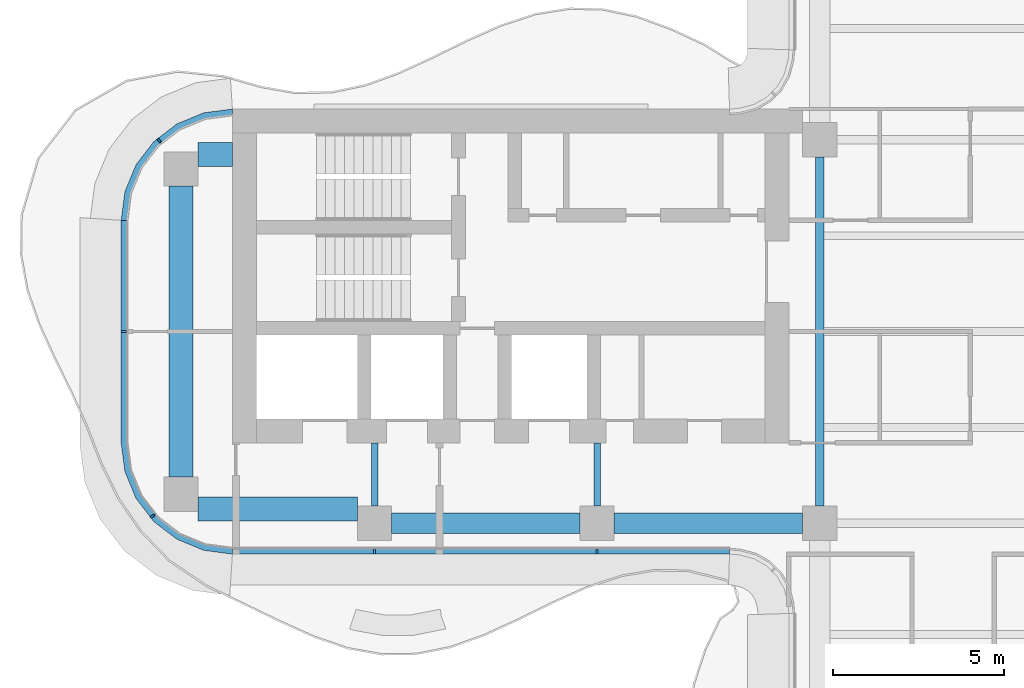
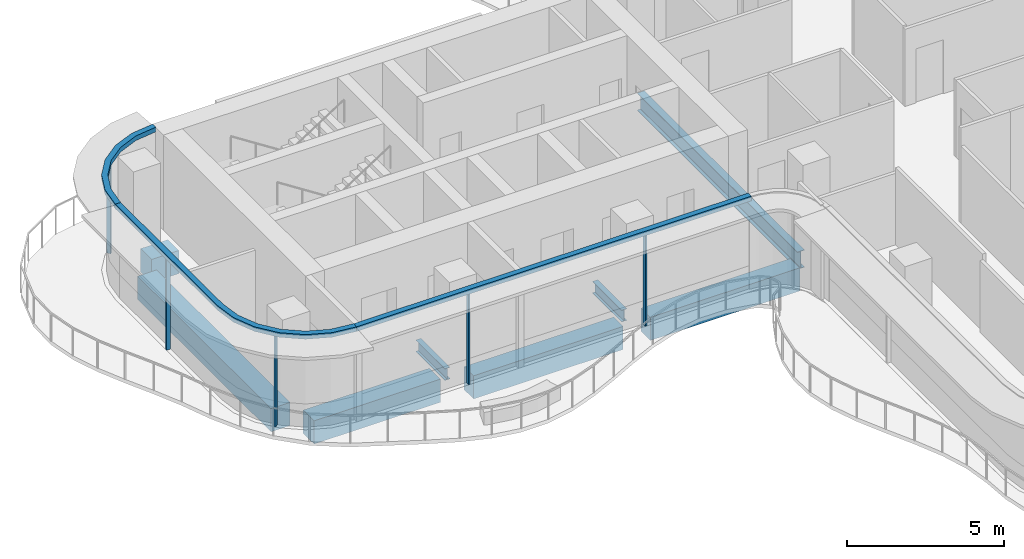
# One storey, part 3 of 16: 8 beams, 8 members, 3 elements without a shape of their own.
"""IFC4 building model written with IfcOpenShell, lengths in metres."""

from ifc_helpers import new_model, si_unit, direction, frame, origin, origin_2d, place, context, subcontext, project, spatial, polyline, rectangle, i_section, outline, extrude, source, transform, mapped, material, layer, layer_set, material_profile, profile_set, type_object, element, aggregate, save


model = new_model("IFC4")

# Units and contexts
model_context = context("Model", 3, precision=1e-05, world=origin(), true_north=direction((0.0, 1.0)))
body_context = subcontext(model_context, "Body", "Model", "MODEL_VIEW")
ifc_project = project(units=[si_unit("LENGTHUNIT", "METRE"), si_unit("AREAUNIT", "SQUARE_METRE"), si_unit("VOLUMEUNIT", "CUBIC_METRE"), si_unit("PLANEANGLEUNIT", "RADIAN"), si_unit("MASSUNIT", "GRAM", prefix="KILO")], contexts=[model_context])

# Site, building, storey
site_placement = place(None, origin())
site = spatial("IfcSite", under=ifc_project, at=site_placement, CompositionType="ELEMENT")
building_placement = place(site_placement, origin())
building = spatial("IfcBuilding", under=site, at=building_placement, Name="Trellis Farm Tower", CompositionType="ELEMENT")
storey_placement = place(building_placement, frame((0.0, 0.0, 314.5)))
storey = spatial("IfcBuildingStorey", under=building, at=storey_placement, Name="L71", CompositionType="ELEMENT", Elevation=314.5)

# Beams
ifc_material_1 = material(Name="Steel S355", Category="steel")
ifc_material_profile_1 = material_profile(ifc_material_1, i_section(OverallWidth=0.253662109375, OverallDepth=0.68359375, WebThickness=0.012451171875, FlangeThickness=0.021728515625, FilletRadius=0.01513671875, at=origin_2d()), Name="UB 686x254x140")
ifc_profile_set_1 = profile_set([ifc_material_profile_1], Name="Steel S355")
beam_type_1 = type_object("IfcBeamType", Name="UB 686x254x140", PredefinedType="BEAM", material=ifc_profile_set_1)
shared_shape_1 = source(origin(), body_context, "Body", "SweptSolid", [
    extrude(i_section(OverallWidth=0.253662109375, OverallDepth=0.68359375, WebThickness=0.012451171875, FlangeThickness=0.021728515625, FilletRadius=0.01513671875, at=origin_2d()), origin(), (0.0, 0.0, 1.0), 10.2001953125),
])
beam_1_placement = place(storey_placement, frame((-5.60009765625, -5.10009765625, -0.541748046875), z_axis=(0.0, 1.0, 0.0), x_axis=(-1.0, 0.0, 0.0)))
element("IfcBeam", 1, at=beam_1_placement, inside=storey, type_object=beam_type_1, Name="Girder", PredefinedType="BEAM", context=body_context, shape_type="MappedRepresentation", body=[
    mapped(shared_shape_1, transform((0.0, 0.0, 0.0))),
])
ifc_material_profile_2 = material_profile(ifc_material_1, i_section(OverallWidth=0.1904296875, OverallDepth=0.45703125, WebThickness=0.009033203125, FlangeThickness=0.014404296875, FilletRadius=0.01025390625, at=origin_2d()), Name="UB 457x191x74")
ifc_profile_set_2 = profile_set([ifc_material_profile_2], Name="Steel S355")
beam_type_2 = type_object("IfcBeamType", Name="UB 457x191x74", PredefinedType="BEAM", material=ifc_profile_set_2)
shared_shape_2 = source(origin(), body_context, "Body", "SweptSolid", [
    extrude(i_section(OverallWidth=0.1904296875, OverallDepth=0.45703125, WebThickness=0.009033203125, FlangeThickness=0.014404296875, FilletRadius=0.01025390625, at=origin_2d()), origin(), (0.0, 0.0, 1.0), 1.85009765625),
])
for number, where, z_axis, x_axis, name in (
    (2, (-18.60009765625, -5.10009765625, -0.428466796875), (0.0, 1.0, 0.0), (-1.0, 0.0, 0.0), "Girder"),
    (3, (-12.10009765625, -5.10009765625, -0.428466796875), (0.0, 1.0, 0.0), (-1.0, 0.0, 0.0), "Girder"),
):
    element("IfcBeam", number, at=place(storey_placement, frame(where, z_axis=z_axis, x_axis=x_axis)), inside=storey, type_object=beam_type_2, Name=name, PredefinedType="BEAM", context=body_context, shape_type="MappedRepresentation", body=[
        mapped(shared_shape_2, transform((0.0, 0.0, 0.0))),
    ])
ifc_material_2 = material(Name="Concrete C60/75", Category="concrete")
ifc_material_profile_3 = material_profile(ifc_material_2, rectangle(XDim=0.60009765625, YDim=0.89990234375, at=origin_2d()), Name="RC spandrel beam 600x900 C60/75")
ifc_profile_set_3 = profile_set([ifc_material_profile_3], Name="Concrete C60/75")
beam_type_3 = type_object("IfcBeamType", Name="RC spandrel beam 600x900 C60/75", PredefinedType="SPANDREL", material=ifc_profile_set_3)
shared_shape_3 = source(origin(), body_context, "Body", "SweptSolid", [
    extrude(rectangle(XDim=0.60009765625, YDim=0.89990234375, at=origin_2d()), origin(), (0.0, 0.0, 1.0), 5.5),
])
for number, where, z_axis, x_axis, name in (
    (4, (-18.10009765625, -5.60009765625, -0.64990234375), (1.0, 0.0, 0.0), (0.0, 1.0, 0.0), "Girder"),
    (5, (-11.60009765625, -5.60009765625, -0.64990234375), (1.0, 0.0, 0.0), (0.0, 1.0, 0.0), "Girder"),
):
    element("IfcBeam", number, at=place(storey_placement, frame(where, z_axis=z_axis, x_axis=x_axis)), inside=storey, type_object=beam_type_3, Name=name, PredefinedType="SPANDREL", context=body_context, shape_type="MappedRepresentation", body=[
        mapped(shared_shape_3, transform((0.0, 0.0, 0.0))),
    ])
ifc_material_profile_4 = material_profile(ifc_material_2, rectangle(XDim=0.699951171875, YDim=0.89990234375, at=origin_2d()), Name="RC spandrel beam 700x900 C60/75")
ifc_profile_set_4 = profile_set([ifc_material_profile_4], Name="Concrete C60/75")
beam_type_4 = type_object("IfcBeamType", Name="RC spandrel beam 700x900 C60/75", PredefinedType="SPANDREL", material=ifc_profile_set_4)
shared_shape_4 = source(origin(), body_context, "Body", "SweptSolid", [
    extrude(rectangle(XDim=0.699951171875, YDim=0.89990234375, at=origin_2d()), origin(), (0.0, 0.0, 1.0), 1.0),
])
beam_2_placement = place(storey_placement, frame((-23.75, 5.175048828125, -0.64990234375), z_axis=(1.0, 0.0, 0.0), x_axis=(0.0, 1.0, 0.0)))
element("IfcBeam", 6, at=beam_2_placement, inside=storey, type_object=beam_type_4, Name="Girder", PredefinedType="SPANDREL", context=body_context, shape_type="MappedRepresentation", body=[
    mapped(shared_shape_4, transform((0.0, 0.0, 0.0))),
])
shared_shape_5 = source(origin(), body_context, "Body", "SweptSolid", [
    extrude(rectangle(XDim=0.699951171875, YDim=0.89990234375, at=origin_2d()), origin(), (0.0, 0.0, 1.0), 4.64990234375),
])
beam_3_placement = place(storey_placement, frame((-23.75, -5.175048828125, -0.64990234375), z_axis=(1.0, 0.0, 0.0), x_axis=(0.0, 1.0, 0.0)))
element("IfcBeam", 7, at=beam_3_placement, inside=storey, type_object=beam_type_4, Name="Girder", PredefinedType="SPANDREL", context=body_context, shape_type="MappedRepresentation", body=[
    mapped(shared_shape_5, transform((0.0, 0.0, 0.0))),
])
shared_shape_6 = source(origin(), body_context, "Body", "SweptSolid", [
    extrude(rectangle(XDim=0.699951171875, YDim=0.89990234375, at=origin_2d()), origin(), (0.0, 0.0, 1.0), 8.5),
])
beam_4_placement = place(storey_placement, frame((-24.25, -4.25, -0.64990234375), z_axis=(0.0, 1.0, 0.0), x_axis=(-1.0, 0.0, 0.0)))
element("IfcBeam", 8, at=beam_4_placement, inside=storey, type_object=beam_type_4, Name="Girder", PredefinedType="SPANDREL", context=body_context, shape_type="MappedRepresentation", body=[
    mapped(shared_shape_6, transform((0.0, 0.0, 0.0))),
])

# Curtain wall, members
ifc_material_3 = material(Name="Aluminium and glass curtain wall", Category="aluminium")
ifc_layer_1 = layer(ifc_material_3, 0.18994140625)
ifc_layer_set_1 = layer_set([ifc_layer_1], Name="RIBBON CURTAIN WALL CW1")
curtain_wall_type = type_object("IfcCurtainWallType", Name="RIBBON CURTAIN WALL CW1", PredefinedType="NOTDEFINED", material=ifc_layer_set_1)
placement_1 = place(storey_placement, origin())
curtain_wall_1 = element("IfcCurtainWall", 9, at=placement_1, inside=storey, type_object=curtain_wall_type, Name="CW1 001", PredefinedType="NOTDEFINED")
ifc_material_4 = material(Name="Aluminium extrusion 6063-T6", Category="aluminium")
ifc_material_profile_5 = material_profile(ifc_material_4, rectangle(XDim=0.06005859375, YDim=0.14990234375, at=origin_2d()), Name="MULLION 60x150")
ifc_profile_set_5 = profile_set([ifc_material_profile_5], Name="Aluminium extrusion 6063-T6")
member_type_1 = type_object("IfcMemberType", Name="CW1 MULLION 60x150", PredefinedType="MULLION", material=ifc_profile_set_5)
shared_shape_7 = source(origin(), body_context, "Body", "SweptSolid", [
    extrude(rectangle(XDim=0.06005859375, YDim=0.14990234375, at=origin_2d()), origin(), (0.0, 0.0, 1.0), 3.52001953125),
])
member_1_placement = place(storey_placement, frame((-18.60009765625, -6.425048828125, 0.0), z_axis=(0.0, 0.0, 1.0), x_axis=(1.0, 0.0, 0.0)))
member_1 = element("IfcMember", 10, at=member_1_placement, type_object=member_type_1, Name="MU1 001-01", PredefinedType="MULLION", context=body_context, shape_type="MappedRepresentation", body=[
    mapped(shared_shape_7, transform((0.0, 0.0, 0.0))),
])
member_2_placement = place(storey_placement, frame((-12.10009765625, -6.425048828125, 0.0), z_axis=(0.0, 0.0, 1.0), x_axis=(1.0, 0.0, 0.0)))
member_2 = element("IfcMember", 11, at=member_2_placement, type_object=member_type_1, Name="MU1 001-02", PredefinedType="MULLION", context=body_context, shape_type="MappedRepresentation", body=[
    mapped(shared_shape_7, transform((0.0, 0.0, 0.0))),
])

# Curtain wall, member
curtain_wall_2 = element("IfcCurtainWall", 12, at=placement_1, inside=storey, type_object=curtain_wall_type, Name="CW1 013", PredefinedType="NOTDEFINED")
member_3_placement = place(storey_placement, frame((-24.885498046875, 5.578369140625, 0.0), z_axis=(0.0, 0.0, 1.0), x_axis=(-0.793353340291, -0.608761429009, 0.0)))
member_3 = element("IfcMember", 13, at=member_3_placement, type_object=member_type_1, Name="MU1 013-01", PredefinedType="MULLION", context=body_context, shape_type="MappedRepresentation", body=[
    mapped(shared_shape_7, transform((0.0, 0.0, 0.0))),
])

# Curtain wall, members
curtain_wall_3 = element("IfcCurtainWall", 14, at=placement_1, inside=storey, type_object=curtain_wall_type, Name="CW1 014", PredefinedType="NOTDEFINED")
member_4_placement = place(storey_placement, frame((-25.925048828125, 0.0, 0.0), z_axis=(0.0, 0.0, 1.0), x_axis=(0.0, -1.0, 0.0)))
member_4 = element("IfcMember", 15, at=member_4_placement, type_object=member_type_1, Name="MU1 014-01", PredefinedType="MULLION", context=body_context, shape_type="MappedRepresentation", body=[
    mapped(shared_shape_7, transform((0.0, 0.0, 0.0))),
])
member_5_placement = place(storey_placement, frame((-25.078369140625, -5.385498046875, 0.0), z_axis=(0.0, 0.0, 1.0), x_axis=(0.608761429009, -0.793353340291, 0.0)))
member_5 = element("IfcMember", 16, at=member_5_placement, type_object=member_type_1, Name="MU1 014-02", PredefinedType="MULLION", context=body_context, shape_type="MappedRepresentation", body=[
    mapped(shared_shape_7, transform((0.0, 0.0, 0.0))),
])

# Member
ifc_layer_2 = layer(ifc_material_4, 0.199951171875)
ifc_layer_set_2 = layer_set([ifc_layer_2], Name="Aluminium extrusion 6063-T6")
member_type_2 = type_object("IfcMemberType", Name="CW1 TRANSOM 200x180", PredefinedType="USERDEFINED", material=ifc_layer_set_2)
shared_shape_8 = source(origin(), body_context, "Body", "SweptSolid", [
    extrude(outline(polyline([(-22.75, -6.5), (-8.2314453125, -6.5), (-8.224853515625, -6.300048828125), (-22.73681640625, -6.300048828125), (-22.75, -6.5)])), origin(), (0.0, 0.0, 1.0), 0.179931640625),
])
placement_2 = place(storey_placement, frame((0.0, 0.0, 3.52001953125)))
member_6 = element("IfcMember", 17, at=placement_2, type_object=member_type_2, Name="TR1 001", ObjectType="TRANSOM", PredefinedType="USERDEFINED", context=body_context, shape_type="MappedRepresentation", body=[
    mapped(shared_shape_8, transform((0.0, 0.0, 0.0))),
])

aggregate(curtain_wall_1, [member_1, member_2, member_6])

shared_shape_9 = source(origin(), body_context, "Body", "SweptSolid", [
    extrude(outline(polyline([(-22.75, 6.5), (-23.591064453125, 6.38916015625), (-24.375, 6.064697265625), (-25.048095703125, 5.548095703125), (-25.564697265625, 4.875), (-25.88916015625, 4.091064453125), (-26.0, 3.25), (-25.800048828125, 3.23681640625), (-25.6943359375, 4.0390625), (-25.389892578125, 4.774169921875), (-24.905517578125, 5.405517578125), (-24.274169921875, 5.889892578125), (-23.5390625, 6.1943359375), (-22.73681640625, 6.300048828125), (-22.75, 6.5)])), origin(), (0.0, 0.0, 1.0), 0.179931640625),
])
member_7 = element("IfcMember", 18, at=placement_2, type_object=member_type_2, Name="TR1 013", ObjectType="TRANSOM", PredefinedType="USERDEFINED", context=body_context, shape_type="MappedRepresentation", body=[
    mapped(shared_shape_9, transform((0.0, 0.0, 0.0))),
])

aggregate(curtain_wall_2, [member_3, member_7])

shared_shape_10 = source(origin(), body_context, "Body", "SweptSolid", [
    extrude(outline(polyline([(-26.0, 3.25), (-26.0, -3.25), (-25.88916015625, -4.091064453125), (-25.564697265625, -4.875), (-25.048095703125, -5.548095703125), (-24.375, -6.064697265625), (-23.591064453125, -6.38916015625), (-22.75, -6.5), (-22.73681640625, -6.300048828125), (-23.5390625, -6.1943359375), (-24.274169921875, -5.889892578125), (-24.905517578125, -5.405517578125), (-25.389892578125, -4.774169921875), (-25.6943359375, -4.0390625), (-25.800048828125, -3.23681640625), (-25.800048828125, 3.23681640625), (-26.0, 3.25)])), origin(), (0.0, 0.0, 1.0), 0.179931640625),
])
member_8 = element("IfcMember", 19, at=placement_2, type_object=member_type_2, Name="TR1 014", ObjectType="TRANSOM", PredefinedType="USERDEFINED", context=body_context, shape_type="MappedRepresentation", body=[
    mapped(shared_shape_10, transform((0.0, 0.0, 0.0))),
])

aggregate(curtain_wall_3, [member_4, member_5, member_8])

save(model, "model.ifc")
